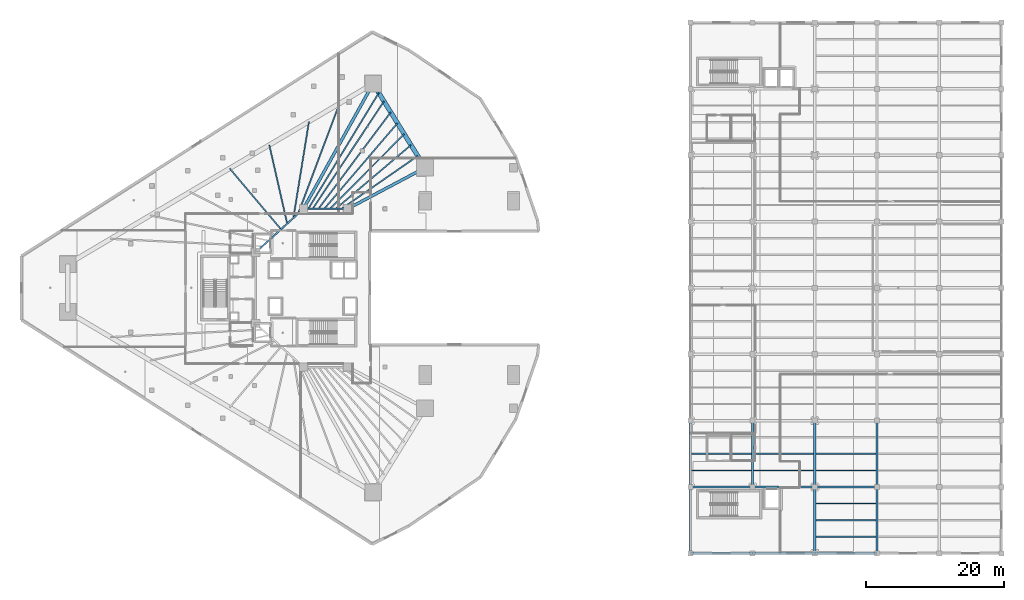
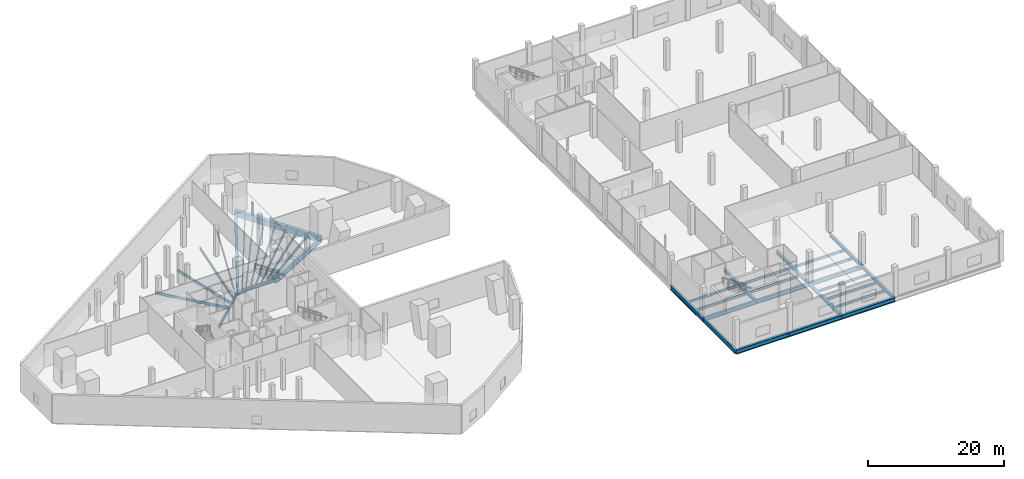
# One storey, part 2 of 47: 38 beams.
"""IFC4 building model written with IfcOpenShell, lengths in metres."""

import ifcopenshell
import ifcopenshell.guid

model = None  # the IFC model being written
_history = None  # IfcOwnerHistory: only IFC2X3 demands one
_inside = {}  # id of a spatial element -> (the spatial element, [elements in it])
_under = {}  # id of a project, library or spatial element -> (it, [spatial elements below it])
_declared = {}  # id of a project -> (the project, [libraries it declares])
_typed = {}  # id of a type object -> (the type object, [elements of that type])
_made_of = {}  # id of a material, layer set ... -> (it, [elements and type objects made of it])


def new_model(schema):
    """Start an empty IFC model of exactly this schema.

    Asked for "IFC4X3", IfcOpenShell would pick the latest addendum, in which some entities
    have other attributes; the version numbers below select the first issue.
    IFC2X3 requires an IfcOwnerHistory on every rooted entity: one is made here for all.
    """
    global model, _history
    if schema == "IFC4X3":
        model = ifcopenshell.file(schema_version=(4, 3, 0, 0))
    else:
        model = ifcopenshell.file(schema=schema)
    _inside.clear()
    _under.clear()
    _declared.clear()
    _typed.clear()
    _made_of.clear()
    _history = None
    if model.schema == "IFC2X3":
        org = make("IfcOrganization", Name="unknown")
        user = make(
            "IfcPersonAndOrganization",
            ThePerson=make("IfcPerson", FamilyName="unknown"),
            TheOrganization=org,
        )
        app = make(
            "IfcApplication",
            ApplicationDeveloper=org,
            Version="unknown",
            ApplicationFullName="unknown",
            ApplicationIdentifier="unknown",
        )
        _history = make(
            "IfcOwnerHistory",
            OwningUser=user,
            OwningApplication=app,
            ChangeAction="ADDED",
            CreationDate=0,
        )
    return model


def make(cls, **values):
    """One entity of the class cls with the attributes given. An attribute that is None is left unset."""
    return model.create_entity(
        cls, **{name: value for name, value in values.items() if value is not None}
    )


def rooted(cls, **values):
    """An entity with a GlobalId (a new one), such as an element, a storey or a relation."""
    return make(cls, GlobalId=ifcopenshell.guid.new(), OwnerHistory=_history, **values)


def si_unit(unit_type, name, prefix=None):
    """IfcSIUnit, for example si_unit("LENGTHUNIT", "METRE", prefix="MILLI")."""
    return make("IfcSIUnit", UnitType=unit_type, Prefix=prefix, Name=name)


def assignment(units):
    """IfcUnitAssignment: the units of a project."""
    return None if units is None else make("IfcUnitAssignment", Units=units)


def point(xyz):
    """IfcCartesianPoint."""
    return None if xyz is None else make("IfcCartesianPoint", Coordinates=xyz)


def direction(xyz):
    """IfcDirection."""
    return None if xyz is None else make("IfcDirection", DirectionRatios=xyz)


def frame(location, z_axis=None, x_axis=None):
    """IfcAxis2Placement3D, a coordinate frame: its origin and axes. An axis left out is left unset."""
    return make(
        "IfcAxis2Placement3D",
        Location=point(location),
        Axis=direction(z_axis),
        RefDirection=direction(x_axis),
    )


def frame_2d(location, x_axis=None):
    """IfcAxis2Placement2D, a coordinate frame in the plane: its origin and x axis."""
    return make(
        "IfcAxis2Placement2D", Location=point(location), RefDirection=direction(x_axis)
    )


def origin():
    """The frame at (0, 0, 0) with its axes left unset."""
    return frame((0.0, 0.0, 0.0))


def origin_2d():
    """The frame at (0, 0) in the plane with its x axis left unset."""
    return frame_2d((0.0, 0.0))


def place(relative_to, where):
    """IfcLocalPlacement: puts the frame where relative to a parent placement (None: the world)."""
    return make(
        "IfcLocalPlacement", PlacementRelTo=relative_to, RelativePlacement=where
    )


def context(
    kind, dimensions, precision=None, world=None, true_north=None, identifier=None
):
    """IfcGeometricRepresentationContext, for example the 3D "Model" context."""
    return make(
        "IfcGeometricRepresentationContext",
        ContextIdentifier=identifier,
        ContextType=kind,
        CoordinateSpaceDimension=dimensions,
        Precision=precision,
        WorldCoordinateSystem=world,
        TrueNorth=true_north,
    )


def subcontext(parent, identifier, kind, view, scale=None):
    """IfcGeometricRepresentationSubContext, for example "Body" below "Model"."""
    return make(
        "IfcGeometricRepresentationSubContext",
        ContextIdentifier=identifier,
        ContextType=kind,
        ParentContext=parent,
        TargetScale=scale,
        TargetView=view,
    )


def project(units=None, contexts=None):
    """IfcProject with its units and contexts."""
    return rooted(
        "IfcProject",
        Name="project",
        RepresentationContexts=contexts,
        UnitsInContext=assignment(units),
    )


def spatial(cls, under=None, at=None, **own):
    """A site, building, storey or space (cls), placed at a placement, below another one or the project."""
    s = rooted(cls, ObjectPlacement=at, **own)
    if under is not None:
        _under.setdefault(under.id(), (under, []))[1].append(s)
    return s


def profile(cls, at=None, kind="AREA", **sizes):
    """A parametric profile (cls). Its sizes go by their IFC names, for example OverallWidth=200.0."""
    return make(cls, ProfileType=kind, Position=at, **sizes)


def rectangle(**sizes):
    """IfcRectangleProfileDef."""
    return profile("IfcRectangleProfileDef", **sizes)


def i_section(**sizes):
    """IfcIShapeProfileDef."""
    return profile("IfcIShapeProfileDef", **sizes)


def extrude(swept, where, along, depth):
    """IfcExtrudedAreaSolid: the profile swept, set in the frame where, extruded along a direction by depth."""
    return make(
        "IfcExtrudedAreaSolid",
        SweptArea=swept,
        Position=where,
        ExtrudedDirection=direction(along),
        Depth=depth,
    )


def shape(context_of_items, identifier, shape_type, items):
    """IfcShapeRepresentation: the items that make up one representation, for example the "Body"."""
    return make(
        "IfcShapeRepresentation",
        ContextOfItems=context_of_items,
        RepresentationIdentifier=identifier,
        RepresentationType=shape_type,
        Items=items,
    )


def material(Name=None, Category=None):
    """IfcMaterial."""
    return make("IfcMaterial", Name=Name, Category=Category)


def material_profile(
    of_material, cross_section, Name=None, Category=None, Priority=None
):
    """IfcMaterialProfile: a cross section and its material."""
    return make(
        "IfcMaterialProfile",
        Name=Name,
        Material=of_material,
        Profile=cross_section,
        Priority=Priority,
        Category=Category,
    )


def profile_set(profiles, Name=None, composite=None):
    """IfcMaterialProfileSet."""
    return make(
        "IfcMaterialProfileSet",
        Name=Name,
        MaterialProfiles=profiles,
        CompositeProfile=composite,
    )


def made_of(thing, what):
    """Note that an element or type object is made of a material, layer set ...; save() writes the relation."""
    if what is not None:
        _made_of.setdefault(what.id(), (what, []))[1].append(thing)
    return thing


def type_object(cls, material=None, **own):
    """A type object (cls), such as IfcWallType, which elements share."""
    return made_of(rooted(cls, **own), material)


def element(
    cls,
    number,
    at=None,
    inside=None,
    cuts=None,
    type_object=None,
    material=None,
    context=None,
    identifier="Body",
    shape_type=None,
    held_by="IfcProductDefinitionShape",
    body=None,
    shapes=None,
    **own,
):
    """One element of the class cls, such as IfcWall. Its Tag is "e" and its number.

    at: its placement. inside: the storey or other place that contains it. cuts: it is an
    opening in that element (IfcRelVoidsElement). A single representation is given by context,
    identifier, shape_type and body (its items); several are given by shapes. held_by: the class
    of the entity that holds the representations. save() writes the other relations.
    """
    e = rooted(cls, Tag="e%d" % number, ObjectPlacement=at, **own)
    if body is not None:
        shapes = [shape(context, identifier, shape_type, body)]
    if shapes is not None:
        e.Representation = make(held_by, Representations=shapes)
    if inside is not None:
        _inside.setdefault(inside.id(), (inside, []))[1].append(e)
    if cuts is not None:
        rooted(
            "IfcRelVoidsElement", RelatingBuildingElement=cuts, RelatedOpeningElement=e
        )
    if type_object is not None:
        _typed.setdefault(type_object.id(), (type_object, []))[1].append(e)
    return made_of(e, material)


def aggregate(whole, parts):
    """IfcRelAggregates: a whole, such as a stair, and the parts it consists of."""
    return rooted("IfcRelAggregates", RelatingObject=whole, RelatedObjects=parts)


def save(model, path):
    """Write the relations noted so far, then the file.

    IfcRelAggregates (storeys below a building ...), IfcRelContainedInSpatialStructure (elements
    in a storey), IfcRelDefinesByType, IfcRelAssociatesMaterial and IfcRelDeclares: one each for
    every whole, place, type object, material and project.
    """
    for whole, parts in _under.values():
        aggregate(whole, parts)
    for where, things in _inside.values():
        rooted(
            "IfcRelContainedInSpatialStructure",
            RelatedElements=things,
            RelatingStructure=where,
        )
    for kind, things in _typed.values():
        rooted("IfcRelDefinesByType", RelatedObjects=things, RelatingType=kind)
    for what, things in _made_of.values():
        rooted("IfcRelAssociatesMaterial", RelatedObjects=things, RelatingMaterial=what)
    for by, libraries in _declared.values():
        rooted("IfcRelDeclares", RelatingContext=by, RelatedDefinitions=libraries)
    model.write(path)


model = new_model("IFC4")

# Units and contexts
model_context = context("Model", 3, precision=1e-05, world=origin(), true_north=direction((0.0, 1.0)))
body_context = subcontext(model_context, "Body", "Model", "MODEL_VIEW")
ifc_project = project(units=[si_unit("LENGTHUNIT", "METRE"), si_unit("AREAUNIT", "SQUARE_METRE"), si_unit("VOLUMEUNIT", "CUBIC_METRE"), si_unit("PLANEANGLEUNIT", "RADIAN"), si_unit("MASSUNIT", "GRAM", prefix="KILO")], contexts=[model_context])

# Site, building, storey
site_placement = place(None, origin())
site = spatial("IfcSite", under=ifc_project, at=site_placement, CompositionType="ELEMENT")
building_placement = place(site_placement, origin())
building = spatial("IfcBuilding", under=site, at=building_placement, Name="Qorvath Tower", CompositionType="ELEMENT")
storey_placement = place(building_placement, frame((0.0, 0.0, 6.60009765625)))
storey = spatial("IfcBuildingStorey", under=building, at=storey_placement, Name="L01", CompositionType="ELEMENT", Elevation=6.60009765625)

# Beams
ifc_material_1 = material(Name="Steel ASTM A992 Grade 50", Category="steel")
ifc_material_profile_1 = material_profile(ifc_material_1, i_section(OverallWidth=0.422119140625, OverallDepth=0.93310546875, WebThickness=0.021240234375, FlangeThickness=0.039794921875, FilletRadius=0.02392578125, at=origin_2d()), Name="W36x262")
ifc_profile_set_1 = profile_set([ifc_material_profile_1], Name="Steel ASTM A992 Grade 50")
beam_type_1 = type_object("IfcBeamType", Name="BM-FG1", PredefinedType="BEAM", material=ifc_profile_set_1)
beam_1_placement = place(storey_placement, frame((-23.60009765625, 11.449951171875, -0.7265625), z_axis=(0.486174725137, 0.873861623278, 0.0), x_axis=(-0.873861623278, 0.486174725137, 0.0)))
element("IfcBeam", 1, at=beam_1_placement, inside=storey, type_object=beam_type_1, Name="Radial Floor Girder CC1-MC6 L01", PredefinedType="BEAM", context=body_context, shape_type="SweptSolid", body=[
    extrude(i_section(OverallWidth=0.422119140625, OverallDepth=0.93310546875, WebThickness=0.021240234375, FlangeThickness=0.039794921875, FilletRadius=0.02392578125, at=origin_2d()), origin(), (0.0, 0.0, 1.0), 20.7333984375),
])
beam_2_placement = place(storey_placement, frame((-17.199951171875, 11.449951171875, -0.7265625), z_axis=(0.883116467191, 0.469153818461, 0.0), x_axis=(-0.469153818461, 0.883116467191, 0.0)))
element("IfcBeam", 2, at=beam_2_placement, inside=storey, type_object=beam_type_1, Name="Radial Floor Girder CC2-MC5 L01", PredefinedType="BEAM", context=body_context, shape_type="SweptSolid", body=[
    extrude(i_section(OverallWidth=0.422119140625, OverallDepth=0.93310546875, WebThickness=0.021240234375, FlangeThickness=0.039794921875, FilletRadius=0.02392578125, at=origin_2d()), origin(), (0.0, 0.0, 1.0), 12.682373046875),
])
ifc_material_2 = material(Name="Steel ASTM A992 Grade 50", Category="steel")
ifc_material_profile_2 = material_profile(ifc_material_2, i_section(OverallWidth=0.381103515625, OverallDepth=0.77294921875, WebThickness=0.0166015625, FlangeThickness=0.027099609375, FilletRadius=0.01904296875, at=origin_2d()), Name="W30x173")
ifc_profile_set_2 = profile_set([ifc_material_profile_2], Name="Steel ASTM A992 Grade 50")
beam_type_2 = type_object("IfcBeamType", Name="BM-FG3", PredefinedType="BEAM", material=ifc_profile_set_2)
for number, where, z_axis, x_axis, name in (
    (3, (32.39990234375, -38.39990234375, -0.646484375), (1.0, 0.0, 0.0), (0.0, 1.0, 0.0), "Library E-W Girder L01-1-1"),
    (4, (41.39990234375, -38.39990234375, -0.646484375), (1.0, 0.0, 0.0), (0.0, 1.0, 0.0), "Library E-W Girder L01-1-2"),
    (5, (50.39990234375, -38.39990234375, -0.646484375), (1.0, 0.0, 0.0), (0.0, 1.0, 0.0), "Library E-W Girder L01-1-3"),
):
    element("IfcBeam", number, at=place(storey_placement, frame(where, z_axis=z_axis, x_axis=x_axis)), inside=storey, type_object=beam_type_2, Name=name, PredefinedType="BEAM", context=body_context, shape_type="SweptSolid", body=[
        extrude(i_section(OverallWidth=0.381103515625, OverallDepth=0.77294921875, WebThickness=0.0166015625, FlangeThickness=0.027099609375, FilletRadius=0.01904296875, at=origin_2d()), origin(), (0.0, 0.0, 1.0), 9.0),
    ])
beam_3_placement = place(storey_placement, frame((32.39990234375, -38.39990234375, -0.646484375), z_axis=(0.0, 1.0, 0.0), x_axis=(-1.0, 0.0, 0.0)))
element("IfcBeam", 6, at=beam_3_placement, inside=storey, type_object=beam_type_2, Name="Library N-S Girder L01-1-1", PredefinedType="BEAM", context=body_context, shape_type="SweptSolid", body=[
    extrude(i_section(OverallWidth=0.381103515625, OverallDepth=0.77294921875, WebThickness=0.0166015625, FlangeThickness=0.027099609375, FilletRadius=0.01904296875, at=origin_2d()), origin(), (0.0, 0.0, 1.0), 9.599853515625),
])
beam_4_placement = place(storey_placement, frame((32.39990234375, -28.800048828125, -0.646484375), z_axis=(0.0, 1.0, 0.0), x_axis=(-1.0, 0.0, 0.0)))
element("IfcBeam", 7, at=beam_4_placement, inside=storey, type_object=beam_type_2, Name="Library N-S Girder L01-1-2", PredefinedType="BEAM", context=body_context, shape_type="SweptSolid", body=[
    extrude(i_section(OverallWidth=0.381103515625, OverallDepth=0.77294921875, WebThickness=0.0166015625, FlangeThickness=0.027099609375, FilletRadius=0.01904296875, at=origin_2d()), origin(), (0.0, 0.0, 1.0), 9.60009765625),
])
ifc_material_3 = material(Name="Steel ASTM A992 Grade 50", Category="steel")
ifc_material_profile_3 = material_profile(ifc_material_3, i_section(OverallWidth=0.35595703125, OverallDepth=0.696044921875, WebThickness=0.015380859375, FlangeThickness=0.02490234375, FilletRadius=0.01806640625, at=origin_2d()), Name="W27x146")
ifc_profile_set_3 = profile_set([ifc_material_profile_3], Name="Steel ASTM A992 Grade 50")
beam_type_3 = type_object("IfcBeamType", Name="BM-FG4", PredefinedType="BEAM", material=ifc_profile_set_3)
for number, where, z_axis, x_axis, name in (
    (8, (32.39990234375, -28.800048828125, -0.60791015625), (1.0, 0.0, 0.0), (0.0, 1.0, 0.0), "Library E-W Girder L01-2-1"),
    (9, (41.39990234375, -28.800048828125, -0.60791015625), (1.0, 0.0, 0.0), (0.0, 1.0, 0.0), "Library E-W Girder L01-2-2"),
    (10, (50.39990234375, -28.800048828125, -0.60791015625), (1.0, 0.0, 0.0), (0.0, 1.0, 0.0), "Library E-W Girder L01-2-3"),
):
    element("IfcBeam", number, at=place(storey_placement, frame(where, z_axis=z_axis, x_axis=x_axis)), inside=storey, type_object=beam_type_3, Name=name, PredefinedType="BEAM", context=body_context, shape_type="SweptSolid", body=[
        extrude(i_section(OverallWidth=0.35595703125, OverallDepth=0.696044921875, WebThickness=0.015380859375, FlangeThickness=0.02490234375, FilletRadius=0.01806640625, at=origin_2d()), origin(), (0.0, 0.0, 1.0), 9.0),
    ])
ifc_material_4 = material(Name="Steel ASTM A992 Grade 50", Category="steel")
ifc_material_profile_4 = material_profile(ifc_material_4, i_section(OverallWidth=0.324951171875, OverallDepth=0.615966796875, WebThickness=0.013916015625, FlangeThickness=0.021484375, FilletRadius=0.01611328125, at=origin_2d()), Name="W24x117")
ifc_profile_set_4 = profile_set([ifc_material_profile_4], Name="Steel ASTM A992 Grade 50")
beam_type_4 = type_object("IfcBeamType", Name="BM-FG5", PredefinedType="BEAM", material=ifc_profile_set_4)
beam_5_placement = place(storey_placement, frame((41.39990234375, -28.800048828125, -0.568115234375), z_axis=(0.0, 1.0, 0.0), x_axis=(-1.0, 0.0, 0.0)))
element("IfcBeam", 11, at=beam_5_placement, inside=storey, type_object=beam_type_4, Name="Library N-S Girder L01-2-2", PredefinedType="BEAM", context=body_context, shape_type="SweptSolid", body=[
    extrude(i_section(OverallWidth=0.324951171875, OverallDepth=0.615966796875, WebThickness=0.013916015625, FlangeThickness=0.021484375, FilletRadius=0.01611328125, at=origin_2d()), origin(), (0.0, 0.0, 1.0), 9.60009765625),
])
beam_6_placement = place(storey_placement, frame((50.39990234375, -38.39990234375, -0.568115234375), z_axis=(0.0, 1.0, 0.0), x_axis=(-1.0, 0.0, 0.0)))
element("IfcBeam", 12, at=beam_6_placement, inside=storey, type_object=beam_type_4, Name="Library N-S Girder L01-3-1", PredefinedType="BEAM", context=body_context, shape_type="SweptSolid", body=[
    extrude(i_section(OverallWidth=0.324951171875, OverallDepth=0.615966796875, WebThickness=0.013916015625, FlangeThickness=0.021484375, FilletRadius=0.01611328125, at=origin_2d()), origin(), (0.0, 0.0, 1.0), 9.599853515625),
])
beam_7_placement = place(storey_placement, frame((50.39990234375, -28.800048828125, -0.568115234375), z_axis=(0.0, 1.0, 0.0), x_axis=(-1.0, 0.0, 0.0)))
element("IfcBeam", 13, at=beam_7_placement, inside=storey, type_object=beam_type_4, Name="Library N-S Girder L01-3-2", PredefinedType="BEAM", context=body_context, shape_type="SweptSolid", body=[
    extrude(i_section(OverallWidth=0.324951171875, OverallDepth=0.615966796875, WebThickness=0.013916015625, FlangeThickness=0.021484375, FilletRadius=0.01611328125, at=origin_2d()), origin(), (0.0, 0.0, 1.0), 9.60009765625),
])
beam_8_placement = place(storey_placement, frame((59.39990234375, -38.39990234375, -0.568115234375), z_axis=(0.0, 1.0, 0.0), x_axis=(-1.0, 0.0, 0.0)))
element("IfcBeam", 14, at=beam_8_placement, inside=storey, type_object=beam_type_4, Name="Library N-S Girder L01-4-1", PredefinedType="BEAM", context=body_context, shape_type="SweptSolid", body=[
    extrude(i_section(OverallWidth=0.324951171875, OverallDepth=0.615966796875, WebThickness=0.013916015625, FlangeThickness=0.021484375, FilletRadius=0.01611328125, at=origin_2d()), origin(), (0.0, 0.0, 1.0), 9.599853515625),
])
beam_9_placement = place(storey_placement, frame((59.39990234375, -28.800048828125, -0.568115234375), z_axis=(0.0, 1.0, 0.0), x_axis=(-1.0, 0.0, 0.0)))
element("IfcBeam", 15, at=beam_9_placement, inside=storey, type_object=beam_type_4, Name="Library N-S Girder L01-4-2", PredefinedType="BEAM", context=body_context, shape_type="SweptSolid", body=[
    extrude(i_section(OverallWidth=0.324951171875, OverallDepth=0.615966796875, WebThickness=0.013916015625, FlangeThickness=0.021484375, FilletRadius=0.01611328125, at=origin_2d()), origin(), (0.0, 0.0, 1.0), 9.60009765625),
])
ifc_material_5 = material(Name="Steel ASTM A992 Grade 50", Category="steel")
ifc_material_profile_5 = material_profile(ifc_material_5, i_section(OverallWidth=0.22998046875, OverallDepth=0.616943359375, WebThickness=0.01318359375, FlangeThickness=0.022216796875, FilletRadius=0.014892578125, at=origin_2d()), Name="W24x94")
ifc_profile_set_5 = profile_set([ifc_material_profile_5], Name="Steel ASTM A992 Grade 50")
beam_type_5 = type_object("IfcBeamType", Name="BM-FG6", PredefinedType="BEAM", material=ifc_profile_set_5)
beam_10_placement = place(storey_placement, frame((-23.60009765625, 11.449951171875, -0.568603515625), z_axis=(1.0, 0.0, 0.0), x_axis=(0.0, 1.0, 0.0)))
element("IfcBeam", 16, at=beam_10_placement, inside=storey, type_object=beam_type_5, Name="Core Ring Girder CC1-CC2 L01", PredefinedType="BEAM", context=body_context, shape_type="SweptSolid", body=[
    extrude(i_section(OverallWidth=0.22998046875, OverallDepth=0.616943359375, WebThickness=0.01318359375, FlangeThickness=0.022216796875, FilletRadius=0.014892578125, at=origin_2d()), origin(), (0.0, 0.0, 1.0), 6.400146484375),
])
beam_11_placement = place(storey_placement, frame((-30.5, 5.14990234375, -0.568603515625), z_axis=(0.73847813985, 0.6742774184, 0.0), x_axis=(-0.6742774184, 0.73847813985, 0.0)))
element("IfcBeam", 17, at=beam_11_placement, inside=storey, type_object=beam_type_5, Name="Core Ring Girder CC5-CC1 L01", PredefinedType="BEAM", context=body_context, shape_type="SweptSolid", body=[
    extrude(i_section(OverallWidth=0.22998046875, OverallDepth=0.616943359375, WebThickness=0.01318359375, FlangeThickness=0.022216796875, FilletRadius=0.014892578125, at=origin_2d()), origin(), (0.0, 0.0, 1.0), 9.343505859375),
])
ifc_material_6 = material(Name="Steel ASTM A992 Grade 50", Category="steel")
ifc_material_profile_6 = material_profile(ifc_material_6, i_section(OverallWidth=0.18994140625, OverallDepth=0.45703125, WebThickness=0.009033203125, FlangeThickness=0.014404296875, FilletRadius=0.011962890625, at=origin_2d()), Name="W18x50")
ifc_profile_set_6 = profile_set([ifc_material_profile_6], Name="Steel ASTM A992 Grade 50")
beam_type_6 = type_object("IfcBeamType", Name="BM-FJ2", PredefinedType="JOIST", material=ifc_profile_set_6)
beam_12_placement = place(storey_placement, frame((-18.095947265625, 11.449951171875, -0.488525390625), z_axis=(0.821904266501, 0.569625646111, 0.0), x_axis=(-0.569625646111, 0.821904266501, 0.0)))
element("IfcBeam", 18, at=beam_12_placement, inside=storey, type_object=beam_type_6, Name="Composite Floor Joist NE1 L01", PredefinedType="JOIST", context=body_context, shape_type="SweptSolid", body=[
    extrude(i_section(OverallWidth=0.18994140625, OverallDepth=0.45703125, WebThickness=0.009033203125, FlangeThickness=0.014404296875, FilletRadius=0.011962890625, at=origin_2d()), origin(), (0.0, 0.0, 1.0), 13.43603515625),
])
beam_13_placement = place(storey_placement, frame((-18.927978515625, 11.449951171875, -0.488525390625), z_axis=(0.762888170757, 0.646530462483, 0.0), x_axis=(-0.646530462483, 0.762888170757, 0.0)))
element("IfcBeam", 19, at=beam_13_placement, inside=storey, type_object=beam_type_6, Name="Composite Floor Joist NE2 L01", PredefinedType="JOIST", context=body_context, shape_type="SweptSolid", body=[
    extrude(i_section(OverallWidth=0.18994140625, OverallDepth=0.45703125, WebThickness=0.009033203125, FlangeThickness=0.014404296875, FilletRadius=0.011962890625, at=origin_2d()), origin(), (0.0, 0.0, 1.0), 14.284423828125),
])
beam_14_placement = place(storey_placement, frame((-19.760009765625, 11.449951171875, -0.488525390625), z_axis=(0.704966562097, 0.709240541935, 0.0), x_axis=(-0.709240541935, 0.704966562097, 0.0)))
element("IfcBeam", 20, at=beam_14_placement, inside=storey, type_object=beam_type_6, Name="Composite Floor Joist NE3 L01", PredefinedType="JOIST", context=body_context, shape_type="SweptSolid", body=[
    extrude(i_section(OverallWidth=0.18994140625, OverallDepth=0.45703125, WebThickness=0.009033203125, FlangeThickness=0.014404296875, FilletRadius=0.011962890625, at=origin_2d()), origin(), (0.0, 0.0, 1.0), 15.251708984375),
])
beam_15_placement = place(storey_placement, frame((-20.592041015625, 11.449951171875, -0.488525390625), z_axis=(0.650034471724, 0.759904721376, 0.0), x_axis=(-0.759904721376, 0.650034471724, 0.0)))
element("IfcBeam", 21, at=beam_15_placement, inside=storey, type_object=beam_type_6, Name="Composite Floor Joist NE4 L01", PredefinedType="JOIST", context=body_context, shape_type="SweptSolid", body=[
    extrude(i_section(OverallWidth=0.18994140625, OverallDepth=0.45703125, WebThickness=0.009033203125, FlangeThickness=0.014404296875, FilletRadius=0.011962890625, at=origin_2d()), origin(), (0.0, 0.0, 1.0), 16.316650390625),
])
beam_16_placement = place(storey_placement, frame((-21.424072265625, 11.449951171875, -0.488525390625), z_axis=(0.599091356813, 0.800680676794, 0.0), x_axis=(-0.800680676794, 0.599091356813, 0.0)))
element("IfcBeam", 22, at=beam_16_placement, inside=storey, type_object=beam_type_6, Name="Composite Floor Joist NE5 L01", PredefinedType="JOIST", context=body_context, shape_type="SweptSolid", body=[
    extrude(i_section(OverallWidth=0.18994140625, OverallDepth=0.45703125, WebThickness=0.009033203125, FlangeThickness=0.014404296875, FilletRadius=0.011962890625, at=origin_2d()), origin(), (0.0, 0.0, 1.0), 17.46142578125),
])
beam_17_placement = place(storey_placement, frame((-22.256103515625, 11.449951171875, -0.488525390625), z_axis=(0.552474288131, 0.833529940047, 0.0), x_axis=(-0.833529940047, 0.552474288131, 0.0)))
element("IfcBeam", 23, at=beam_17_placement, inside=storey, type_object=beam_type_6, Name="Composite Floor Joist NE6 L01", PredefinedType="JOIST", context=body_context, shape_type="SweptSolid", body=[
    extrude(i_section(OverallWidth=0.18994140625, OverallDepth=0.45703125, WebThickness=0.009033203125, FlangeThickness=0.014404296875, FilletRadius=0.011962890625, at=origin_2d()), origin(), (0.0, 0.0, 1.0), 18.6708984375),
])
beam_18_placement = place(storey_placement, frame((-22.89599609375, 11.449951171875, -0.488525390625), z_axis=(0.519556443318, 0.854436131145, 0.0), x_axis=(-0.854436131145, 0.519556443318, 0.0)))
element("IfcBeam", 24, at=beam_18_placement, inside=storey, type_object=beam_type_6, Name="Composite Floor Joist NE7 L01", PredefinedType="JOIST", context=body_context, shape_type="SweptSolid", body=[
    extrude(i_section(OverallWidth=0.18994140625, OverallDepth=0.45703125, WebThickness=0.009033203125, FlangeThickness=0.014404296875, FilletRadius=0.011962890625, at=origin_2d()), origin(), (0.0, 0.0, 1.0), 19.63818359375),
])
beam_19_placement = place(storey_placement, frame((-26.843017578125, 8.489013671875, -0.488525390625), z_axis=(-0.644958726494, 0.764217404355, 0.0), x_axis=(-0.764217404355, -0.644958726494, 0.0)))
element("IfcBeam", 25, at=beam_19_placement, inside=storey, type_object=beam_type_6, Name="Composite Floor Joist NW4 L01", PredefinedType="JOIST", context=body_context, shape_type="SweptSolid", body=[
    extrude(i_section(OverallWidth=0.18994140625, OverallDepth=0.45703125, WebThickness=0.009033203125, FlangeThickness=0.014404296875, FilletRadius=0.011962890625, at=origin_2d()), origin(), (0.0, 0.0, 1.0), 11.5234375),
])
beam_20_placement = place(storey_placement, frame((-25.946044921875, 9.30810546875, -0.488525390625), z_axis=(-0.221751282053, 0.975103260639, 0.0), x_axis=(-0.975103260639, -0.221751282053, 0.0)))
element("IfcBeam", 26, at=beam_20_placement, inside=storey, type_object=beam_type_6, Name="Composite Floor Joist NW5 L01", PredefinedType="JOIST", context=body_context, shape_type="SweptSolid", body=[
    extrude(i_section(OverallWidth=0.18994140625, OverallDepth=0.45703125, WebThickness=0.009033203125, FlangeThickness=0.014404296875, FilletRadius=0.011962890625, at=origin_2d()), origin(), (0.0, 0.0, 1.0), 11.67236328125),
])
beam_21_placement = place(storey_placement, frame((-25.049072265625, 10.126953125, -0.488525390625), z_axis=(0.159519083064, 0.987194845073, 0.0), x_axis=(-0.987194845073, 0.159519083064, 0.0)))
element("IfcBeam", 27, at=beam_21_placement, inside=storey, type_object=beam_type_6, Name="Composite Floor Joist NW6 L01", PredefinedType="JOIST", context=body_context, shape_type="SweptSolid", body=[
    extrude(i_section(OverallWidth=0.18994140625, OverallDepth=0.45703125, WebThickness=0.009033203125, FlangeThickness=0.014404296875, FilletRadius=0.011962890625, at=origin_2d()), origin(), (0.0, 0.0, 1.0), 14.138671875),
])
beam_22_placement = place(storey_placement, frame((-24.35888671875, 10.757080078125, -0.488525390625), z_axis=(0.351338742889, 0.936248411344, 0.0), x_axis=(-0.936248411344, 0.351338742889, 0.0)))
element("IfcBeam", 28, at=beam_22_placement, inside=storey, type_object=beam_type_6, Name="Composite Floor Joist NW7 L01", PredefinedType="JOIST", context=body_context, shape_type="SweptSolid", body=[
    extrude(i_section(OverallWidth=0.18994140625, OverallDepth=0.45703125, WebThickness=0.009033203125, FlangeThickness=0.014404296875, FilletRadius=0.011962890625, at=origin_2d()), origin(), (0.0, 0.0, 1.0), 17.02392578125),
])
for number, where, z_axis, x_axis, name in (
    (29, (50.560546875, -36.0, -0.488525390625), (1.0, 0.0, 0.0), (0.0, 1.0, 0.0), "Library Stack Joist L01-1.1-3"),
    (30, (50.560546875, -33.60009765625, -0.488525390625), (1.0, 0.0, 0.0), (0.0, 1.0, 0.0), "Library Stack Joist L01-1.2-3"),
    (31, (50.560546875, -31.199951171875, -0.488525390625), (1.0, 0.0, 0.0), (0.0, 1.0, 0.0), "Library Stack Joist L01-1.3-3"),
):
    element("IfcBeam", number, at=place(storey_placement, frame(where, z_axis=z_axis, x_axis=x_axis)), inside=storey, type_object=beam_type_6, Name=name, PredefinedType="JOIST", context=body_context, shape_type="SweptSolid", body=[
        extrude(i_section(OverallWidth=0.18994140625, OverallDepth=0.45703125, WebThickness=0.009033203125, FlangeThickness=0.014404296875, FilletRadius=0.011962890625, at=origin_2d()), origin(), (0.0, 0.0, 1.0), 8.678955078125),
    ])
beam_23_placement = place(storey_placement, frame((32.58837890625, -26.39990234375, -0.488525390625), z_axis=(1.0, 0.0, 0.0), x_axis=(0.0, 1.0, 0.0)))
element("IfcBeam", 32, at=beam_23_placement, inside=storey, type_object=beam_type_6, Name="Library Stack Joist L01-2.1-1", PredefinedType="JOIST", context=body_context, shape_type="SweptSolid", body=[
    extrude(i_section(OverallWidth=0.18994140625, OverallDepth=0.45703125, WebThickness=0.009033203125, FlangeThickness=0.014404296875, FilletRadius=0.011962890625, at=origin_2d()), origin(), (0.0, 0.0, 1.0), 8.651123046875),
])
for number, where, z_axis, x_axis, name in (
    (33, (41.560546875, -26.39990234375, -0.488525390625), (1.0, 0.0, 0.0), (0.0, 1.0, 0.0), "Library Stack Joist L01-2.1-2"),
    (34, (50.560546875, -26.39990234375, -0.488525390625), (1.0, 0.0, 0.0), (0.0, 1.0, 0.0), "Library Stack Joist L01-2.1-3"),
):
    element("IfcBeam", number, at=place(storey_placement, frame(where, z_axis=z_axis, x_axis=x_axis)), inside=storey, type_object=beam_type_6, Name=name, PredefinedType="JOIST", context=body_context, shape_type="SweptSolid", body=[
        extrude(i_section(OverallWidth=0.18994140625, OverallDepth=0.45703125, WebThickness=0.009033203125, FlangeThickness=0.014404296875, FilletRadius=0.011962890625, at=origin_2d()), origin(), (0.0, 0.0, 1.0), 8.678955078125),
    ])
beam_24_placement = place(storey_placement, frame((32.58837890625, -24.0, -0.488525390625), z_axis=(1.0, 0.0, 0.0), x_axis=(0.0, 1.0, 0.0)))
element("IfcBeam", 35, at=beam_24_placement, inside=storey, type_object=beam_type_6, Name="Library Stack Joist L01-2.2-1", PredefinedType="JOIST", context=body_context, shape_type="SweptSolid", body=[
    extrude(i_section(OverallWidth=0.18994140625, OverallDepth=0.45703125, WebThickness=0.009033203125, FlangeThickness=0.014404296875, FilletRadius=0.011962890625, at=origin_2d()), origin(), (0.0, 0.0, 1.0), 8.651123046875),
])
for number, where, z_axis, x_axis, name in (
    (36, (41.560546875, -24.0, -0.488525390625), (1.0, 0.0, 0.0), (0.0, 1.0, 0.0), "Library Stack Joist L01-2.2-2"),
    (37, (50.560546875, -24.0, -0.488525390625), (1.0, 0.0, 0.0), (0.0, 1.0, 0.0), "Library Stack Joist L01-2.2-3"),
):
    element("IfcBeam", number, at=place(storey_placement, frame(where, z_axis=z_axis, x_axis=x_axis)), inside=storey, type_object=beam_type_6, Name=name, PredefinedType="JOIST", context=body_context, shape_type="SweptSolid", body=[
        extrude(i_section(OverallWidth=0.18994140625, OverallDepth=0.45703125, WebThickness=0.009033203125, FlangeThickness=0.014404296875, FilletRadius=0.011962890625, at=origin_2d()), origin(), (0.0, 0.0, 1.0), 8.678955078125),
    ])
ifc_material_7 = material(Name="Concrete C50/60", Category="concrete")
ifc_material_profile_7 = material_profile(ifc_material_7, rectangle(XDim=0.64990234375, YDim=1.0, at=origin_2d()), Name="RCB 1000x650")
ifc_profile_set_7 = profile_set([ifc_material_profile_7], Name="Concrete C50/60")
beam_type_7 = type_object("IfcBeamType", Name="BM-RCB1", PredefinedType="SPANDREL", material=ifc_profile_set_7)
beam_25_placement = place(storey_placement, frame((-6.0, 17.39990234375, -0.760009765625), z_axis=(-0.525713426157, 0.850661738624, 0.0), x_axis=(-0.850661738624, -0.525713426157, 0.0)))
element("IfcBeam", 38, at=beam_25_placement, inside=storey, type_object=beam_type_7, Name="Perimeter Loggia Frame Beam MC5-MC6 L01", PredefinedType="SPANDREL", context=body_context, shape_type="SweptSolid", body=[
    extrude(rectangle(XDim=0.64990234375, YDim=1.0, at=origin_2d()), origin(), (0.0, 0.0, 1.0), 14.304443359375),
])

save(model, "model.ifc")
